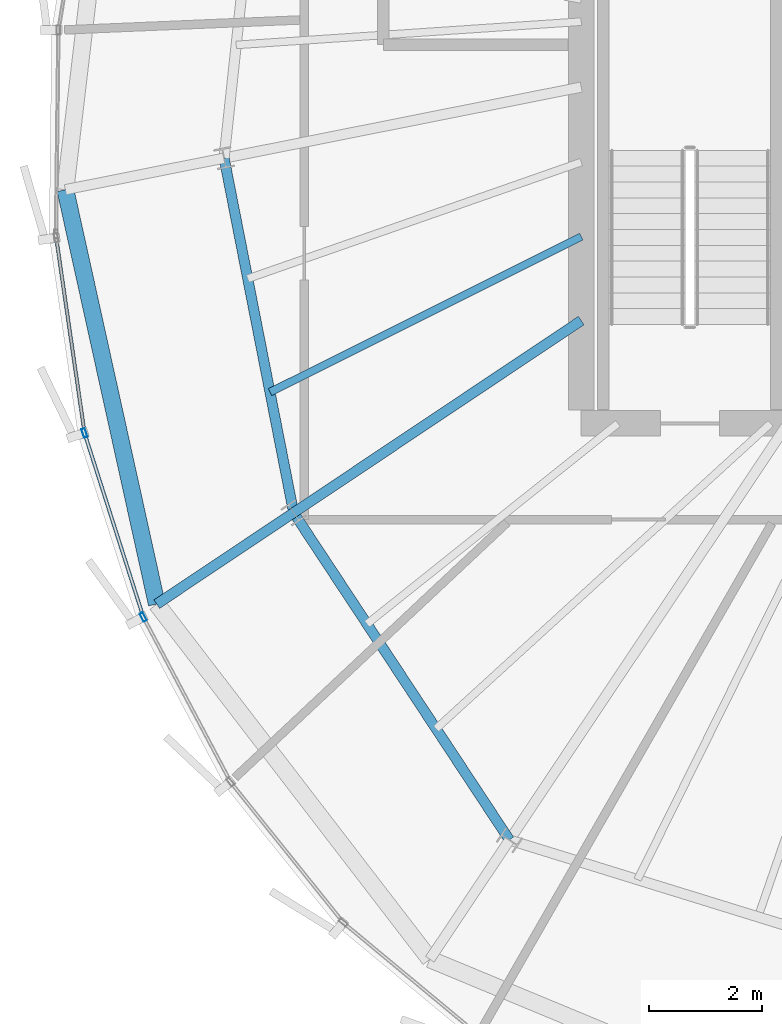
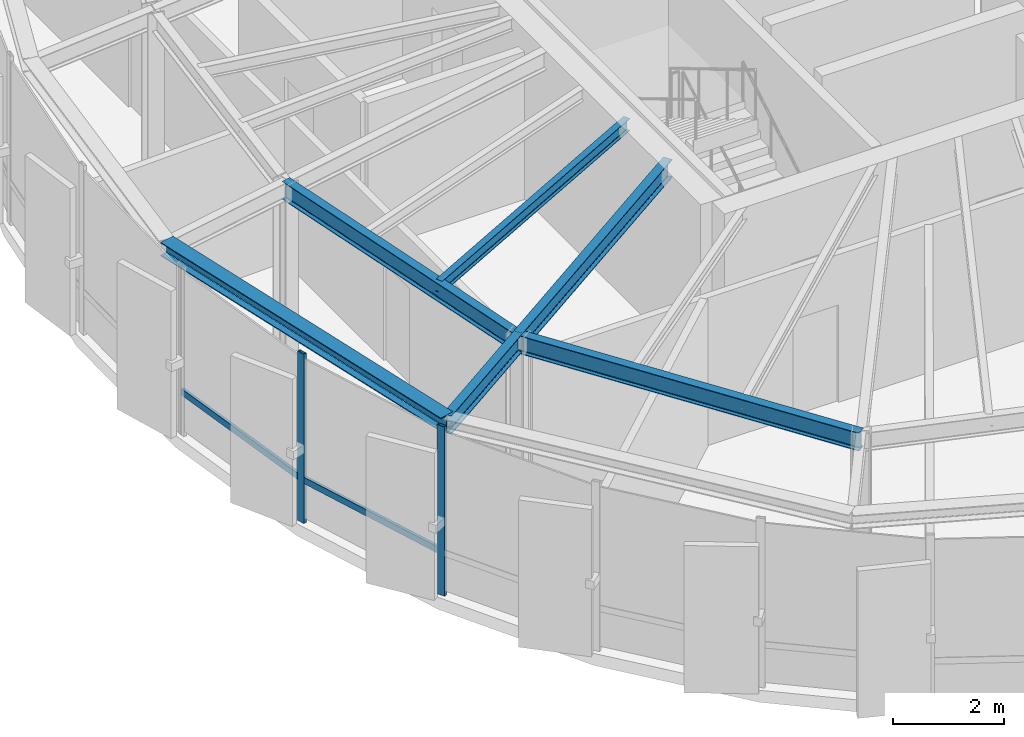
# One storey, part 4 of 27: 6 beams, 4 members, 1 element without a shape of its own.
"""IFC4 building model written with IfcOpenShell, lengths in metres."""

from ifc_helpers import new_model, si_unit, direction, frame, origin, origin_2d, place, context, subcontext, project, spatial, hollow_rectangle, i_section, extrude, source, transform, mapped, material, layer, layer_set, material_profile, profile_set, type_object, element, aggregate, save


model = new_model("IFC4")

# Units and contexts
model_context = context("Model", 3, precision=1e-05, world=origin(), true_north=direction((0.0, 1.0)))
body_context = subcontext(model_context, "Body", "Model", "MODEL_VIEW")
ifc_project = project(units=[si_unit("LENGTHUNIT", "METRE"), si_unit("AREAUNIT", "SQUARE_METRE"), si_unit("VOLUMEUNIT", "CUBIC_METRE"), si_unit("PLANEANGLEUNIT", "RADIAN"), si_unit("MASSUNIT", "GRAM", prefix="KILO"), si_unit("THERMODYNAMICTEMPERATUREUNIT", "KELVIN")], contexts=[model_context])

# Site, building, storey
site_placement = place(None, origin())
site = spatial("IfcSite", under=ifc_project, at=site_placement, CompositionType="ELEMENT")
building_placement = place(site_placement, origin())
building = spatial("IfcBuilding", under=site, at=building_placement, Name="Kethvar Cultural Tower", CompositionType="ELEMENT")
storey_placement = place(building_placement, frame((0.0, 0.0, 308.300048828125)))
storey = spatial("IfcBuildingStorey", under=building, at=storey_placement, Name="L82", CompositionType="ELEMENT", Elevation=308.300048828125)

# Beams
ifc_material_1 = material(Name="Steel S355J2", Category="steel")
ifc_material_profile_1 = material_profile(ifc_material_1, i_section(OverallWidth=0.135009765625, OverallDepth=0.27001953125, WebThickness=0.006591796875, FlangeThickness=0.01025390625, FilletRadius=0.014892578125, at=origin_2d()), Name="Steel S355J2 — IPE270")
ifc_profile_set_1 = profile_set([ifc_material_profile_1], Name="Steel S355J2 — IPE270")
beam_type_1 = type_object("IfcBeamType", Name="BM-J270", PredefinedType="JOIST", material=ifc_profile_set_1)
shared_shape_1 = source(origin(), body_context, "Body", "SweptSolid", [
    extrude(i_section(OverallWidth=0.135009765625, OverallDepth=0.27001953125, WebThickness=0.006591796875, FlangeThickness=0.01025390625, FilletRadius=0.014892578125, at=origin_2d()), origin(), (0.0, 0.0, 1.0), 6.154052734375),
])
beam_1_placement = place(storey_placement, frame((38.0, 23.40380859375, 3.597900390625), z_axis=(-0.89458581954, -0.446896197655, 0.0), x_axis=(0.446896197655, -0.89458581954, 0.0)))
element("IfcBeam", 1, at=beam_1_placement, inside=storey, type_object=beam_type_1, Name="L82 Composite Floor Joist J-09B", PredefinedType="JOIST", context=body_context, shape_type="MappedRepresentation", body=[
    mapped(shared_shape_1, transform((0.0, 0.0, 0.0), scale=1.0)),
])
ifc_material_profile_2 = material_profile(ifc_material_1, i_section(OverallWidth=0.179931640625, OverallDepth=0.39990234375, WebThickness=0.008544921875, FlangeThickness=0.013427734375, FilletRadius=0.02099609375, at=origin_2d()), Name="Steel S355J2 — IPE400")
ifc_profile_set_2 = profile_set([ifc_material_profile_2], Name="Steel S355J2 — IPE400")
beam_type_2 = type_object("IfcBeamType", Name="BM-IPE400", PredefinedType="BEAM", material=ifc_profile_set_2)
shared_shape_2 = source(origin(), body_context, "Body", "SweptSolid", [
    extrude(i_section(OverallWidth=0.179931640625, OverallDepth=0.39990234375, WebThickness=0.008544921875, FlangeThickness=0.013427734375, FilletRadius=0.02099609375, at=origin_2d()), origin(), (0.0, 0.0, 1.0), 6.118408203125),
])
beam_2_placement = place(storey_placement, frame((38.0, 21.920166015625, 3.532958984375), z_axis=(-0.831466631282, -0.555574694406, 0.0), x_axis=(0.555574694406, -0.831466631282, 0.0)))
element("IfcBeam", 2, at=beam_2_placement, inside=storey, type_object=beam_type_2, Name="L82 Primary Radial Beam RB-10", PredefinedType="BEAM", context=body_context, shape_type="MappedRepresentation", body=[
    mapped(shared_shape_2, transform((0.0, 0.0, 0.0), scale=1.0)),
])
shared_shape_3 = source(origin(), body_context, "Body", "SweptSolid", [
    extrude(i_section(OverallWidth=0.179931640625, OverallDepth=0.39990234375, WebThickness=0.008544921875, FlangeThickness=0.013427734375, FilletRadius=0.02099609375, at=origin_2d()), origin(), (0.0, 0.0, 1.0), 6.391357421875),
])
beam_3_placement = place(storey_placement, frame((31.68310546875, 24.79296875, 3.532958984375), z_axis=(0.192405084368, -0.981315588131, 0.0), x_axis=(0.981315588131, 0.192405084368, 0.0)))
element("IfcBeam", 3, at=beam_3_placement, inside=storey, type_object=beam_type_2, Name="L82 Column Ring Tie Beam CR-09", PredefinedType="BEAM", context=body_context, shape_type="MappedRepresentation", body=[
    mapped(shared_shape_3, transform((0.0, 0.0, 0.0), scale=1.0)),
])
shared_shape_4 = source(origin(), body_context, "Body", "SweptSolid", [
    extrude(i_section(OverallWidth=0.179931640625, OverallDepth=0.39990234375, WebThickness=0.008544921875, FlangeThickness=0.013427734375, FilletRadius=0.02099609375, at=origin_2d()), origin(), (0.0, 0.0, 1.0), 6.935791015625),
])
beam_4_placement = place(storey_placement, frame((32.912841796875, 18.52099609375, 3.532958984375), z_axis=(0.550534204139, -0.834812607759, 0.0), x_axis=(0.834812607759, 0.550534204139, 0.0)))
element("IfcBeam", 4, at=beam_4_placement, inside=storey, type_object=beam_type_2, Name="L82 Column Ring Tie Beam CR-10", PredefinedType="BEAM", context=body_context, shape_type="MappedRepresentation", body=[
    mapped(shared_shape_4, transform((0.0, 0.0, 0.0), scale=1.0)),
])
shared_shape_5 = source(origin(), body_context, "Body", "SweptSolid", [
    extrude(i_section(OverallWidth=0.179931640625, OverallDepth=0.39990234375, WebThickness=0.008544921875, FlangeThickness=0.013427734375, FilletRadius=0.02099609375, at=origin_2d()), origin(), (0.0, 0.0, 1.0), 2.91015625),
])
beam_5_placement = place(storey_placement, frame((32.912841796875, 18.52099609375, 3.532958984375), z_axis=(-0.831443200731, -0.555609758696, 0.0), x_axis=(0.555609758696, -0.831443200731, 0.0)))
element("IfcBeam", 5, at=beam_5_placement, inside=storey, type_object=beam_type_2, Name="L82 Perimeter Cantilever Beam RC-10", PredefinedType="BEAM", context=body_context, shape_type="MappedRepresentation", body=[
    mapped(shared_shape_5, transform((0.0, 0.0, 0.0), scale=1.0)),
])
ifc_material_profile_3 = material_profile(ifc_material_1, i_section(OverallWidth=0.300048828125, OverallDepth=0.300048828125, WebThickness=0.010986328125, FlangeThickness=0.01904296875, FilletRadius=0.027099609375, at=origin_2d()), Name="Steel S355J2 — HEB300")
ifc_profile_set_3 = profile_set([ifc_material_profile_3], Name="Steel S355J2 — HEB300")
beam_type_3 = type_object("IfcBeamType", Name="BM-SP300", PredefinedType="SPANDREL", material=ifc_profile_set_3)
shared_shape_6 = source(origin(), body_context, "Body", "SweptSolid", [
    extrude(i_section(OverallWidth=0.300048828125, OverallDepth=0.300048828125, WebThickness=0.010986328125, FlangeThickness=0.01904296875, FilletRadius=0.027099609375, at=origin_2d()), origin(), (0.0, 0.0, 1.0), 7.5068359375),
])
beam_6_placement = place(storey_placement, frame((28.87548828125, 24.234619140625, 3.5830078125), z_axis=(0.215490836112, -0.976505862528, 0.0), x_axis=(0.976505862528, 0.215490836112, 0.0)))
element("IfcBeam", 6, at=beam_6_placement, inside=storey, type_object=beam_type_3, Name="L82 Perimeter Spandrel Beam SP-09", PredefinedType="SPANDREL", context=body_context, shape_type="MappedRepresentation", body=[
    mapped(shared_shape_6, transform((0.0, 0.0, 0.0), scale=1.0)),
])

# Curtain wall, members
ifc_material_2 = material(Name="Aluminium 6063-T6", Category="aluminium")
ifc_layer = layer(ifc_material_2, 0.179931640625, Name="Aluminium 6063-T6", Category="aluminium")
ifc_layer_set = layer_set([ifc_layer], Name="Aluminium 6063-T6 (180 mm)")
curtain_wall_type = type_object("IfcCurtainWallType", Name="CW-SYS-06-CROWN", PredefinedType="NOTDEFINED", material=ifc_layer_set)
curtain_wall_placement = place(storey_placement, origin())
curtain_wall = element("IfcCurtainWall", 7, at=curtain_wall_placement, inside=storey, type_object=curtain_wall_type, Name="L82 Curtain Wall Run 03", PredefinedType="NOTDEFINED")
ifc_material_profile_4 = material_profile(ifc_material_2, hollow_rectangle(XDim=0.06494140625, YDim=0.159912109375, WallThickness=0.0048828125, at=origin_2d()), Name="Aluminium 6063-T6 — RHS160x65x5")
ifc_profile_set_4 = profile_set([ifc_material_profile_4], Name="Aluminium 6063-T6 — RHS160x65x5")
member_type_1 = type_object("IfcMemberType", Name="CW-SYS-06-CROWN-MUL", PredefinedType="MULLION", material=ifc_profile_set_4)
shared_shape_7 = source(origin(), body_context, "Body", "SweptSolid", [
    extrude(hollow_rectangle(XDim=0.06494140625, YDim=0.159912109375, WallThickness=0.0048828125, at=origin_2d()), origin(), (0.0, 0.0, 1.0), 3.73486328125),
])
member_1_placement = place(storey_placement, frame((29.21337890625, 19.9306640625, 0.0), z_axis=(0.0, 0.0, 1.0), x_axis=(0.952422400446, 0.304781185655, 0.0)))
member_1 = element("IfcMember", 8, at=member_1_placement, type_object=member_type_1, Name="CW-L82-R03 Mullion 2", PredefinedType="MULLION", context=body_context, shape_type="MappedRepresentation", body=[
    mapped(shared_shape_7, transform((0.0, 0.0, 0.0), scale=1.0)),
])
member_2_placement = place(storey_placement, frame((30.253173828125, 16.675537109375, 0.0), z_axis=(0.0, 0.0, 1.0), x_axis=(0.883781963382, 0.467898964735, 0.0)))
member_2 = element("IfcMember", 9, at=member_2_placement, type_object=member_type_1, Name="CW-L82-R03 Mullion 3", PredefinedType="MULLION", context=body_context, shape_type="MappedRepresentation", body=[
    mapped(shared_shape_7, transform((0.0, 0.0, 0.0), scale=1.0)),
])
ifc_material_profile_5 = material_profile(ifc_material_2, hollow_rectangle(XDim=0.06005859375, YDim=0.139892578125, WallThickness=0.0048828125, at=origin_2d()), Name="Aluminium 6063-T6 — RHS140x60x5")
ifc_profile_set_5 = profile_set([ifc_material_profile_5], Name="Aluminium 6063-T6 — RHS140x60x5")
member_type_2 = type_object("IfcMemberType", Name="CW-SYS-06-CROWN-TRN", PredefinedType="USERDEFINED", material=ifc_profile_set_5)
shared_shape_8 = source(origin(), body_context, "Body", "SweptSolid", [
    extrude(hollow_rectangle(XDim=0.06005859375, YDim=0.139892578125, WallThickness=0.0048828125, at=origin_2d()), origin(), (0.0, 0.0, 1.0), 3.458251953125),
])
member_3_placement = place(storey_placement, frame((28.714599609375, 23.3798828125, 0.949951171875), z_axis=(0.143595419676, -0.989636476413, 0.0), x_axis=(0.989636476413, 0.143595419676, 0.0)))
member_3 = element("IfcMember", 10, at=member_3_placement, type_object=member_type_2, Name="CW-L82-R03 Transom 1", ObjectType="TRANSOM", PredefinedType="USERDEFINED", context=body_context, shape_type="MappedRepresentation", body=[
    mapped(shared_shape_8, transform((0.0, 0.0, 0.0), scale=1.0)),
])
shared_shape_9 = source(origin(), body_context, "Body", "SweptSolid", [
    extrude(hollow_rectangle(XDim=0.06005859375, YDim=0.139892578125, WallThickness=0.0048828125, at=origin_2d()), origin(), (0.0, 0.0, 1.0), 3.3447265625),
])
member_4_placement = place(storey_placement, frame((29.227783203125, 19.885986328125, 0.949951171875), z_axis=(0.304751889919, -0.95243177477, 0.0), x_axis=(0.95243177477, 0.304751889919, 0.0)))
member_4 = element("IfcMember", 11, at=member_4_placement, type_object=member_type_2, Name="CW-L82-R03 Transom 2", ObjectType="TRANSOM", PredefinedType="USERDEFINED", context=body_context, shape_type="MappedRepresentation", body=[
    mapped(shared_shape_9, transform((0.0, 0.0, 0.0), scale=1.0)),
])
aggregate(curtain_wall, [member_1, member_2, member_3, member_4])

save(model, "model.ifc")
